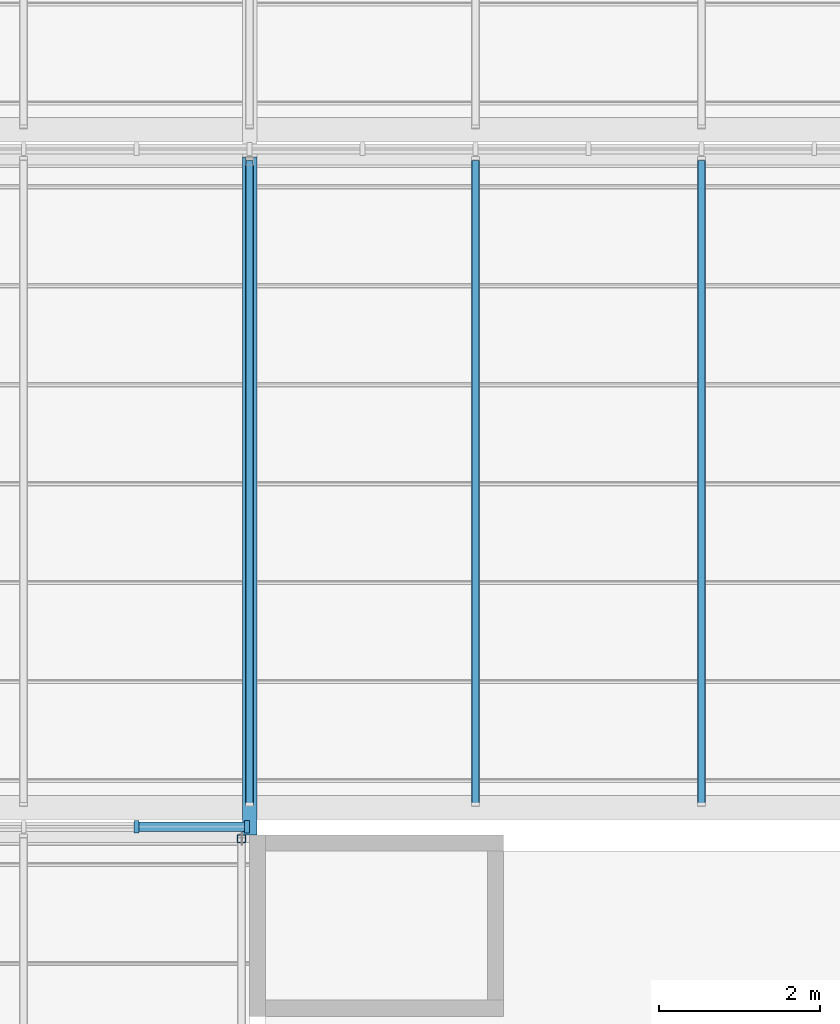
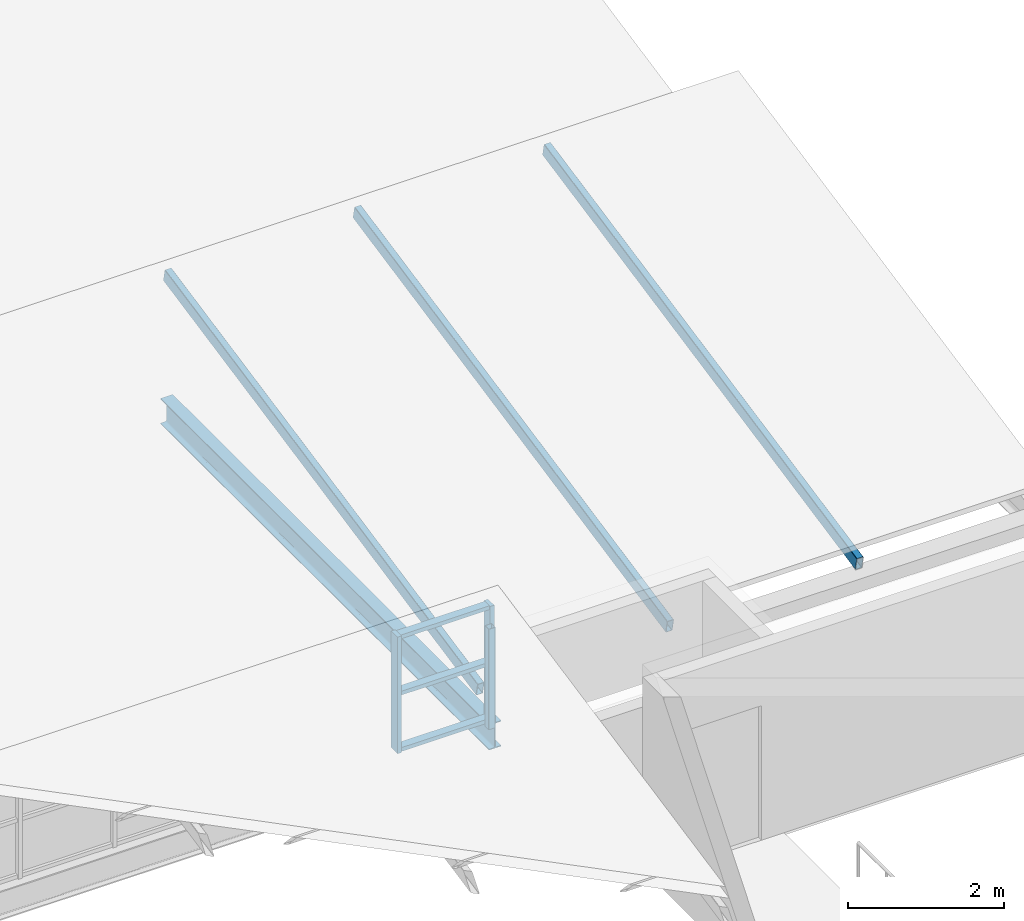
# One storey, part 12 of 121: 9 members, 1 beam, 1 element without a shape of its own.
"""IFC4 building model written with IfcOpenShell, lengths in metres."""

from ifc_helpers import new_model, si_unit, direction, frame, origin, origin_2d, place, context, subcontext, project, spatial, rectangle, hollow_rectangle, i_section, extrude, material, layer, layer_set, material_profile, profile_set, type_object, element, aggregate, save


model = new_model("IFC4")

# Units and contexts
model_context = context("Model", 3, precision=1e-05, world=origin(), true_north=direction((0.0, 1.0)))
body_context = subcontext(model_context, "Body", "Model", "MODEL_VIEW")
ifc_project = project(units=[si_unit("LENGTHUNIT", "METRE"), si_unit("AREAUNIT", "SQUARE_METRE"), si_unit("VOLUMEUNIT", "CUBIC_METRE"), si_unit("PLANEANGLEUNIT", "RADIAN"), si_unit("MASSUNIT", "GRAM", prefix="KILO")], contexts=[model_context])

# Site, building, storey
site_placement = place(None, origin())
site = spatial("IfcSite", under=ifc_project, at=site_placement, CompositionType="ELEMENT")
building_placement = place(site_placement, origin())
building = spatial("IfcBuilding", under=site, at=building_placement, Name="Ardhachandra Cancer Care Centre", CompositionType="ELEMENT")
storey_placement = place(building_placement, frame((0.0, 0.0, 9.0)))
storey = spatial("IfcBuildingStorey", under=building, at=storey_placement, Name="L02", CompositionType="ELEMENT", Elevation=9.0)

# Beam
ifc_material_1 = material(Name="Steel E350 (IS 2062)", Category="steel")
ifc_material_profile_1 = material_profile(ifc_material_1, i_section(OverallWidth=0.179931640625, OverallDepth=0.39990234375, WebThickness=0.008544921875, FlangeThickness=0.013427734375, FilletRadius=0.02099609375, at=origin_2d()), Name="NPB 400x180x66.30")
ifc_profile_set_1 = profile_set([ifc_material_profile_1], Name="Steel E350 (IS 2062)")
beam_type = type_object("IfcBeamType", Name="Beam NPB 400x180x66.30", PredefinedType="BEAM", material=ifc_profile_set_1)
beam_placement = place(storey_placement, frame((36.0, 37.800048828125, -0.199951171875), z_axis=(0.0, 1.0, 0.0), x_axis=(-1.0, 0.0, 0.0)))
element("IfcBeam", 1, at=beam_placement, inside=storey, type_object=beam_type, Name="Roof girder D4-E4", PredefinedType="BEAM", context=body_context, shape_type="SweptSolid", body=[
    extrude(i_section(OverallWidth=0.179931640625, OverallDepth=0.39990234375, WebThickness=0.008544921875, FlangeThickness=0.013427734375, FilletRadius=0.02099609375, at=origin_2d()), origin(), (0.0, 0.0, 1.0), 8.39990234375),
])

# Curtain wall, members
ifc_material_2 = material(Name="Aluminium extrusion", Category="aluminium")
ifc_layer = layer(ifc_material_2, 0.14990234375)
ifc_layer_set = layer_set([ifc_layer], Name="Aluminium extrusion")
curtain_wall_type = type_object("IfcCurtainWallType", Name="Curtain wall run", PredefinedType="NOTDEFINED", material=ifc_layer_set)
curtain_wall_placement = place(storey_placement, origin())
curtain_wall = element("IfcCurtainWall", 2, at=curtain_wall_placement, inside=storey, type_object=curtain_wall_type, Name="Curtain wall L02 n/0019200_0037900", PredefinedType="NOTDEFINED")
ifc_material_3 = material(Name="Aluminium extrusion", Category="aluminium")
ifc_material_profile_2 = material_profile(ifc_material_3, rectangle(XDim=0.159912109375, YDim=0.06005859375, at=origin_2d()), Name="Curtain wall mullion 60 x 160")
ifc_profile_set_2 = profile_set([ifc_material_profile_2], Name="Aluminium extrusion")
member_type_1 = type_object("IfcMemberType", Name="Curtain wall mullion 60 x 160", PredefinedType="MULLION", material=ifc_profile_set_2)
member_1_placement = place(storey_placement, frame((34.60009765625, 37.89990234375, 0.0), z_axis=(0.0, 0.0, 1.0), x_axis=(0.0, 1.0, 0.0)))
member_1 = element("IfcMember", 3, at=member_1_placement, type_object=member_type_1, Name="CW mullion 12", PredefinedType="MULLION", context=body_context, shape_type="SweptSolid", body=[
    extrude(rectangle(XDim=0.159912109375, YDim=0.06005859375, at=origin_2d()), origin(), (0.0, 0.0, 1.0), 1.820068359375),
])
member_2_placement = place(storey_placement, frame((35.969970703125, 37.89990234375, 0.0), z_axis=(0.0, 0.0, 1.0), x_axis=(0.0, 1.0, 0.0)))
member_2 = element("IfcMember", 4, at=member_2_placement, type_object=member_type_1, Name="CW mullion 13", PredefinedType="MULLION", context=body_context, shape_type="SweptSolid", body=[
    extrude(rectangle(XDim=0.159912109375, YDim=0.06005859375, at=origin_2d()), origin(), (0.0, 0.0, 1.0), 1.820068359375),
])
ifc_material_4 = material(Name="Aluminium extrusion", Category="aluminium")
ifc_material_profile_3 = material_profile(ifc_material_4, rectangle(XDim=0.1201171875, YDim=0.06005859375, at=origin_2d()), Name="Curtain wall transom 60 x 120")
ifc_profile_set_3 = profile_set([ifc_material_profile_3], Name="Aluminium extrusion")
member_type_2 = type_object("IfcMemberType", Name="Curtain wall transom 60 x 120", PredefinedType="USERDEFINED", material=ifc_profile_set_3)
member_3_placement = place(storey_placement, frame((34.6298828125, 37.89990234375, 0.030029296875), z_axis=(1.0, 0.0, 0.0), x_axis=(0.0, 1.0, 0.0)))
member_3 = element("IfcMember", 5, at=member_3_placement, type_object=member_type_2, Name="CW transom 12.1", ObjectType="TRANSOM", PredefinedType="USERDEFINED", context=body_context, shape_type="SweptSolid", body=[
    extrude(rectangle(XDim=0.1201171875, YDim=0.06005859375, at=origin_2d()), origin(), (0.0, 0.0, 1.0), 1.31005859375),
])
member_4_placement = place(storey_placement, frame((34.6298828125, 37.89990234375, 0.909912109375), z_axis=(1.0, 0.0, 0.0), x_axis=(0.0, 1.0, 0.0)))
member_4 = element("IfcMember", 6, at=member_4_placement, type_object=member_type_2, Name="CW transom 12.2", ObjectType="TRANSOM", PredefinedType="USERDEFINED", context=body_context, shape_type="SweptSolid", body=[
    extrude(rectangle(XDim=0.1201171875, YDim=0.06005859375, at=origin_2d()), origin(), (0.0, 0.0, 1.0), 1.31005859375),
])
member_5_placement = place(storey_placement, frame((34.6298828125, 37.89990234375, 1.7900390625), z_axis=(1.0, 0.0, 0.0), x_axis=(0.0, 1.0, 0.0)))
member_5 = element("IfcMember", 7, at=member_5_placement, type_object=member_type_2, Name="CW transom 12.3", ObjectType="TRANSOM", PredefinedType="USERDEFINED", context=body_context, shape_type="SweptSolid", body=[
    extrude(rectangle(XDim=0.1201171875, YDim=0.06005859375, at=origin_2d()), origin(), (0.0, 0.0, 1.0), 1.31005859375),
])
aggregate(curtain_wall, [member_1, member_2, member_3, member_4, member_5])

# Members
ifc_material_5 = material(Name="Steel E350 (IS 2062)", Category="steel")
ifc_material_profile_4 = material_profile(ifc_material_5, hollow_rectangle(XDim=0.10009765625, YDim=0.199951171875, WallThickness=0.006103515625, InnerFilletRadius=0.006103515625, OuterFilletRadius=0.011962890625, at=origin_2d()), Name="RHS 200x100x6.0")
ifc_profile_set_4 = profile_set([ifc_material_profile_4], Name="Steel E350 (IS 2062)")
member_type_3 = type_object("IfcMemberType", Name="Roof rafter RHS 200x100x6.0", PredefinedType="RAFTER", material=ifc_profile_set_4)
for number, where, z_axis, x_axis, name in (
    (8, (36.0, 38.18017578125, 0.298095703125), (0.0, 0.980109665583, 0.198456653782), (-1.0, 0.0, 0.0), "Rafter T2a.10"),
    (9, (38.800048828125, 38.18017578125, 0.298095703125), (0.0, 0.980109665583, 0.198456653782), (-1.0, 0.0, 0.0), "Rafter T2a.11"),
    (10, (41.60009765625, 38.18017578125, 0.298095703125), (0.0, 0.980109665583, 0.198456653782), (-1.0, 0.0, 0.0), "Rafter T2a.12"),
):
    element("IfcMember", number, at=place(storey_placement, frame(where, z_axis=z_axis, x_axis=x_axis)), inside=storey, type_object=member_type_3, Name=name, PredefinedType="RAFTER", context=body_context, shape_type="SweptSolid", body=[
        extrude(hollow_rectangle(XDim=0.10009765625, YDim=0.199951171875, WallThickness=0.006103515625, InnerFilletRadius=0.006103515625, OuterFilletRadius=0.011962890625, at=origin_2d()), origin(), (0.0, 0.0, 1.0), 8.162353515625),
    ])
ifc_material_6 = material(Name="Steel E350 (IS 2062)", Category="steel")
ifc_material_profile_5 = material_profile(ifc_material_6, hollow_rectangle(XDim=0.10009765625, YDim=0.10009765625, WallThickness=0.0048828125, InnerFilletRadius=0.0048828125, OuterFilletRadius=0.010009765625, at=origin_2d()), Name="SHS 100x100x5.0")
ifc_profile_set_5 = profile_set([ifc_material_profile_5], Name="Steel E350 (IS 2062)")
member_type_4 = type_object("IfcMemberType", Name="Sawtooth ridge post SHS 100x100x5.0", PredefinedType="POST", material=ifc_profile_set_5)
member_6_placement = place(storey_placement, frame((35.89990234375, 37.75, 0.0), z_axis=(0.0, 0.0, 1.0), x_axis=(1.0, 0.0, 0.0)))
element("IfcMember", 11, at=member_6_placement, inside=storey, type_object=member_type_4, Name="Ridge post T1a.3", PredefinedType="POST", context=body_context, shape_type="SweptSolid", body=[
    extrude(hollow_rectangle(XDim=0.10009765625, YDim=0.10009765625, WallThickness=0.0048828125, InnerFilletRadius=0.0048828125, OuterFilletRadius=0.010009765625, at=origin_2d()), origin(), (0.0, 0.0, 1.0), 1.5673828125),
])

save(model, "model.ifc")
